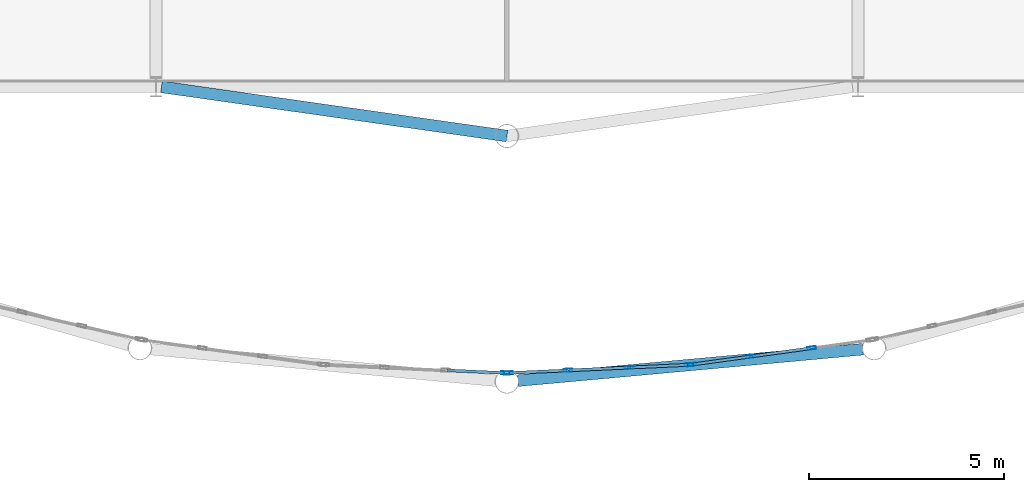
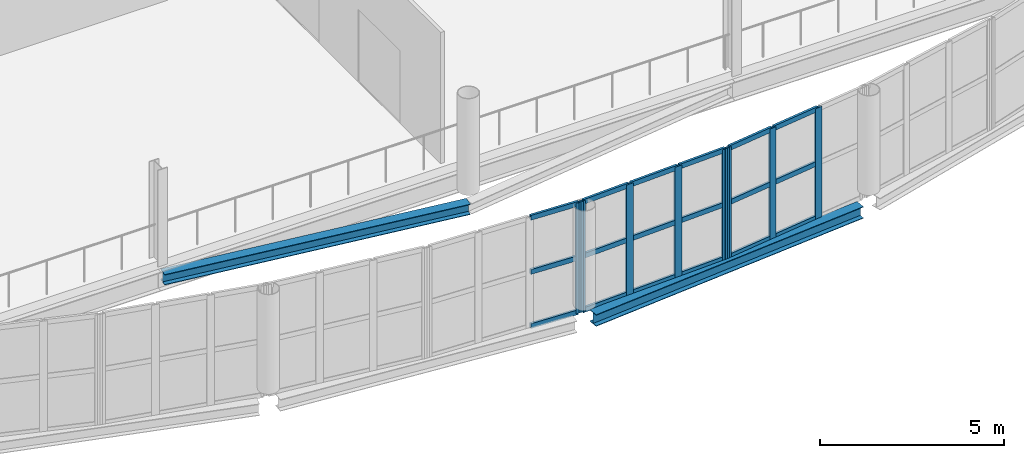
# One storey, part 30 of 134: 26 members, 2 beams, 3 elements without a shape of their own.
"""IFC4 building model written with IfcOpenShell, lengths in metres."""

from ifc_helpers import new_model, si_unit, direction, frame, origin, origin_2d, place, context, subcontext, project, spatial, hollow_rectangle, i_section, extrude, material, layer, layer_set, material_profile, profile_set, type_object, element, aggregate, save


model = new_model("IFC4")

# Units and contexts
model_context = context("Model", 3, precision=1e-05, world=origin(), true_north=direction((0.0, 1.0)))
body_context = subcontext(model_context, "Body", "Model", "MODEL_VIEW")
ifc_project = project(units=[si_unit("LENGTHUNIT", "METRE"), si_unit("AREAUNIT", "SQUARE_METRE"), si_unit("VOLUMEUNIT", "CUBIC_METRE"), si_unit("PLANEANGLEUNIT", "RADIAN"), si_unit("MASSUNIT", "GRAM", prefix="KILO")], contexts=[model_context])

# Site, building, storey
site_placement = place(None, origin())
site = spatial("IfcSite", under=ifc_project, at=site_placement, CompositionType="ELEMENT")
building_placement = place(site_placement, origin())
building = spatial("IfcBuilding", under=site, at=building_placement, Name="Tamarisk Ironworks Central Station", CompositionType="ELEMENT")
storey_placement = place(building_placement, frame((0.0, 0.0, 12.60009765625)))
storey = spatial("IfcBuildingStorey", under=building, at=storey_placement, Name="L02", CompositionType="ELEMENT", Elevation=12.60009765625)

# Beams
ifc_material_1 = material(Name="Structural steel S355J2", Category="steel")
ifc_material_profile_1 = material_profile(ifc_material_1, i_section(OverallWidth=0.300048828125, OverallDepth=0.389892578125, WebThickness=0.010986328125, FlangeThickness=0.01904296875, at=origin_2d()), Name="HEA 400")
ifc_profile_set_1 = profile_set([ifc_material_profile_1], Name="Structural steel S355J2")
beam_type_1 = type_object("IfcBeamType", Name="BM-G07", PredefinedType="BEAM", material=ifc_profile_set_1)
beam_1_placement = place(storey_placement, frame((81.28369140625, 3.266845703125, -0.5751953125), z_axis=(0.995863406654, 0.090862947823, 0.0), x_axis=(-0.090862947823, 0.995863406654, 0.0)))
element("IfcBeam", 1, at=beam_1_placement, inside=storey, type_object=beam_type_1, Name="SN rounded nose L02 chord girder 008", PredefinedType="BEAM", context=body_context, shape_type="SweptSolid", body=[
    extrude(i_section(OverallWidth=0.300048828125, OverallDepth=0.389892578125, WebThickness=0.010986328125, FlangeThickness=0.01904296875, at=origin_2d()), origin(), (0.0, 0.0, 1.0), 8.880126953125),
])
ifc_material_profile_2 = material_profile(ifc_material_1, i_section(OverallWidth=0.300048828125, OverallDepth=0.35009765625, WebThickness=0.010009765625, FlangeThickness=0.017578125, at=origin_2d()), Name="HEA 360")
ifc_profile_set_2 = profile_set([ifc_material_profile_2], Name="Structural steel S355J2")
beam_type_2 = type_object("IfcBeamType", Name="BM-G08", PredefinedType="BEAM", material=ifc_profile_set_2)
beam_2_placement = place(storey_placement, frame((72.139892578125, 10.800048828125, -0.580078125), z_axis=(0.990038775739, -0.140794966289, 0.0), x_axis=(0.140794966289, 0.990038775739, 0.0)))
element("IfcBeam", 2, at=beam_2_placement, inside=storey, type_object=beam_type_2, Name="SN arch crown tie beam 015", PredefinedType="BEAM", context=body_context, shape_type="SweptSolid", body=[
    extrude(i_section(OverallWidth=0.300048828125, OverallDepth=0.35009765625, WebThickness=0.010009765625, FlangeThickness=0.017578125, at=origin_2d()), origin(), (0.0, 0.0, 1.0), 8.94921875),
])

# Curtain wall, member
ifc_material_2 = material(Name="Anodized aluminium alloy 6063-T6", Category="aluminium")
ifc_layer = layer(ifc_material_2, 0.179931640625)
ifc_layer_set = layer_set([ifc_layer], Name="Anodized aluminium alloy 6063-T6")
curtain_wall_type = type_object("IfcCurtainWallType", Name="CW-03", PredefinedType="USERDEFINED", material=ifc_layer_set)
curtain_wall_1_placement = place(storey_placement, origin())
curtain_wall_1 = element("IfcCurtainWall", 3, at=curtain_wall_1_placement, inside=storey, type_object=curtain_wall_type, Name="SN rounded entrance hall L02 curtain wall bay 06", ObjectType="GLAZED CURTAIN WALL", PredefinedType="USERDEFINED")
ifc_material_profile_3 = material_profile(ifc_material_2, hollow_rectangle(XDim=0.074951171875, YDim=0.219970703125, WallThickness=0.00390625, at=origin_2d()), Name="ALUM 220x75")
ifc_profile_set_3 = profile_set([ifc_material_profile_3], Name="Anodized aluminium alloy 6063-T6")
member_type_1 = type_object("IfcMemberType", Name="CWM-01", PredefinedType="MULLION", material=ifc_profile_set_3)
member_1_placement = place(storey_placement, frame((80.962646484375, 3.462646484375, -0.385009765625), z_axis=(0.0, 0.0, 1.0), x_axis=(0.045480859558, 0.998965210312, 0.0)))
member_1 = element("IfcMember", 4, at=member_1_placement, type_object=member_type_1, Name="CW03 mullion 4", PredefinedType="MULLION", context=body_context, shape_type="SweptSolid", body=[
    extrude(hollow_rectangle(XDim=0.074951171875, YDim=0.219970703125, WallThickness=0.00390625, at=origin_2d()), origin(), (0.0, 0.0, 1.0), 3.664794921875),
])

# Curtain wall, members
curtain_wall_2_placement = place(storey_placement, origin())
curtain_wall_2 = element("IfcCurtainWall", 5, at=curtain_wall_2_placement, inside=storey, type_object=curtain_wall_type, Name="SN rounded entrance hall L02 curtain wall bay 07", ObjectType="GLAZED CURTAIN WALL", PredefinedType="USERDEFINED")
member_2_placement = place(storey_placement, frame((81.037353515625, 3.462646484375, -0.385009765625), z_axis=(0.0, 0.0, 1.0), x_axis=(-0.045480859558, 0.998965210312, 0.0)))
member_2 = element("IfcMember", 6, at=member_2_placement, type_object=member_type_1, Name="CW03 mullion 1", PredefinedType="MULLION", context=body_context, shape_type="SweptSolid", body=[
    extrude(hollow_rectangle(XDim=0.074951171875, YDim=0.219970703125, WallThickness=0.00390625, at=origin_2d()), origin(), (0.0, 0.0, 1.0), 3.664794921875),
])
member_3_placement = place(storey_placement, frame((82.568359375, 3.532470703125, -0.385009765625), z_axis=(0.0, 0.0, 1.0), x_axis=(-0.045480859558, 0.998965210312, 0.0)))
member_3 = element("IfcMember", 7, at=member_3_placement, type_object=member_type_1, Name="CW03 mullion 2", PredefinedType="MULLION", context=body_context, shape_type="SweptSolid", body=[
    extrude(hollow_rectangle(XDim=0.074951171875, YDim=0.219970703125, WallThickness=0.00390625, at=origin_2d()), origin(), (0.0, 0.0, 1.0), 3.664794921875),
])
member_4_placement = place(storey_placement, frame((84.136474609375, 3.603759765625, -0.385009765625), z_axis=(0.0, 0.0, 1.0), x_axis=(-0.045480859558, 0.998965210312, 0.0)))
member_4 = element("IfcMember", 8, at=member_4_placement, type_object=member_type_1, Name="CW03 mullion 3", PredefinedType="MULLION", context=body_context, shape_type="SweptSolid", body=[
    extrude(hollow_rectangle(XDim=0.074951171875, YDim=0.219970703125, WallThickness=0.00390625, at=origin_2d()), origin(), (0.0, 0.0, 1.0), 3.664794921875),
])
member_5_placement = place(storey_placement, frame((85.667236328125, 3.673583984375, -0.385009765625), z_axis=(0.0, 0.0, 1.0), x_axis=(-0.045480859558, 0.998965210312, 0.0)))
member_5 = element("IfcMember", 9, at=member_5_placement, type_object=member_type_1, Name="CW03 mullion 4", PredefinedType="MULLION", context=body_context, shape_type="SweptSolid", body=[
    extrude(hollow_rectangle(XDim=0.074951171875, YDim=0.219970703125, WallThickness=0.00390625, at=origin_2d()), origin(), (0.0, 0.0, 1.0), 3.664794921875),
])

curtain_wall_3_placement = place(storey_placement, origin())
curtain_wall_3 = element("IfcCurtainWall", 10, at=curtain_wall_3_placement, inside=storey, type_object=curtain_wall_type, Name="SN rounded entrance hall L02 curtain wall bay 08", ObjectType="GLAZED CURTAIN WALL", PredefinedType="USERDEFINED")
member_6_placement = place(storey_placement, frame((85.741943359375, 3.680419921875, -0.385009765625), z_axis=(0.0, 0.0, 1.0), x_axis=(-0.136041725218, 0.990703108403, 0.0)))
member_6 = element("IfcMember", 11, at=member_6_placement, type_object=member_type_1, Name="CW03 mullion 1", PredefinedType="MULLION", context=body_context, shape_type="SweptSolid", body=[
    extrude(hollow_rectangle(XDim=0.074951171875, YDim=0.219970703125, WallThickness=0.00390625, at=origin_2d()), origin(), (0.0, 0.0, 1.0), 3.664794921875),
])
member_7_placement = place(storey_placement, frame((87.260009765625, 3.888671875, -0.385009765625), z_axis=(0.0, 0.0, 1.0), x_axis=(-0.136041725218, 0.990703108403, 0.0)))
member_7 = element("IfcMember", 12, at=member_7_placement, type_object=member_type_1, Name="CW03 mullion 2", PredefinedType="MULLION", context=body_context, shape_type="SweptSolid", body=[
    extrude(hollow_rectangle(XDim=0.074951171875, YDim=0.219970703125, WallThickness=0.00390625, at=origin_2d()), origin(), (0.0, 0.0, 1.0), 3.664794921875),
])
member_8_placement = place(storey_placement, frame((88.8154296875, 4.102294921875, -0.385009765625), z_axis=(0.0, 0.0, 1.0), x_axis=(-0.136041725218, 0.990703108403, 0.0)))
member_8 = element("IfcMember", 13, at=member_8_placement, type_object=member_type_1, Name="CW03 mullion 3", PredefinedType="MULLION", context=body_context, shape_type="SweptSolid", body=[
    extrude(hollow_rectangle(XDim=0.074951171875, YDim=0.219970703125, WallThickness=0.00390625, at=origin_2d()), origin(), (0.0, 0.0, 1.0), 3.664794921875),
])

# Member
ifc_material_profile_4 = material_profile(ifc_material_2, hollow_rectangle(XDim=0.074951171875, YDim=0.159912109375, WallThickness=0.00390625, at=origin_2d()), Name="ALUM 160x75")
ifc_profile_set_4 = profile_set([ifc_material_profile_4], Name="Anodized aluminium alloy 6063-T6")
member_type_2 = type_object("IfcMemberType", Name="CWT-01", PredefinedType="USERDEFINED", material=ifc_profile_set_4)
member_9_placement = place(storey_placement, frame((79.465087890625, 3.53076171875, -0.34765625), z_axis=(0.998965102192, -0.045483234306, 0.0), x_axis=(0.045483234306, 0.998965102192, 0.0)))
member_9 = element("IfcMember", 14, at=member_9_placement, type_object=member_type_2, Name="CW03 transom 3.1", ObjectType="TRANSOM", PredefinedType="USERDEFINED", context=body_context, shape_type="SweptSolid", body=[
    extrude(hollow_rectangle(XDim=0.074951171875, YDim=0.159912109375, WallThickness=0.00390625, at=origin_2d()), origin(), (0.0, 0.0, 1.0), 1.46533203125),
])

member_10_placement = place(storey_placement, frame((79.465087890625, 3.53076171875, 1.447509765625), z_axis=(0.998965102192, -0.045483234306, 0.0), x_axis=(0.045483234306, 0.998965102192, 0.0)))
member_10 = element("IfcMember", 15, at=member_10_placement, type_object=member_type_2, Name="CW03 transom 3.2", ObjectType="TRANSOM", PredefinedType="USERDEFINED", context=body_context, shape_type="SweptSolid", body=[
    extrude(hollow_rectangle(XDim=0.074951171875, YDim=0.159912109375, WallThickness=0.00390625, at=origin_2d()), origin(), (0.0, 0.0, 1.0), 1.46533203125),
])

member_11_placement = place(storey_placement, frame((79.465087890625, 3.53076171875, 3.242431640625), z_axis=(0.998965102192, -0.045483234306, 0.0), x_axis=(0.045483234306, 0.998965102192, 0.0)))
member_11 = element("IfcMember", 16, at=member_11_placement, type_object=member_type_2, Name="CW03 transom 3.3", ObjectType="TRANSOM", PredefinedType="USERDEFINED", context=body_context, shape_type="SweptSolid", body=[
    extrude(hollow_rectangle(XDim=0.074951171875, YDim=0.159912109375, WallThickness=0.00390625, at=origin_2d()), origin(), (0.0, 0.0, 1.0), 1.46533203125),
])

aggregate(curtain_wall_1, [member_1, member_9, member_10, member_11])

member_12_placement = place(storey_placement, frame((81.071044921875, 3.464111328125, -0.34765625), z_axis=(0.998965102192, 0.045483234306, 0.0), x_axis=(-0.045483234306, 0.998965102192, 0.0)))
member_12 = element("IfcMember", 17, at=member_12_placement, type_object=member_type_2, Name="CW03 transom 1.1", ObjectType="TRANSOM", PredefinedType="USERDEFINED", context=body_context, shape_type="SweptSolid", body=[
    extrude(hollow_rectangle(XDim=0.074951171875, YDim=0.159912109375, WallThickness=0.00390625, at=origin_2d()), origin(), (0.0, 0.0, 1.0), 1.46533203125),
])

member_13_placement = place(storey_placement, frame((81.071044921875, 3.464111328125, 1.447509765625), z_axis=(0.998965102192, 0.045483234306, 0.0), x_axis=(-0.045483234306, 0.998965102192, 0.0)))
member_13 = element("IfcMember", 18, at=member_13_placement, type_object=member_type_2, Name="CW03 transom 1.2", ObjectType="TRANSOM", PredefinedType="USERDEFINED", context=body_context, shape_type="SweptSolid", body=[
    extrude(hollow_rectangle(XDim=0.074951171875, YDim=0.159912109375, WallThickness=0.00390625, at=origin_2d()), origin(), (0.0, 0.0, 1.0), 1.46533203125),
])

member_14_placement = place(storey_placement, frame((81.071044921875, 3.464111328125, 3.242431640625), z_axis=(0.998965102192, 0.045483234306, 0.0), x_axis=(-0.045483234306, 0.998965102192, 0.0)))
member_14 = element("IfcMember", 19, at=member_14_placement, type_object=member_type_2, Name="CW03 transom 1.3", ObjectType="TRANSOM", PredefinedType="USERDEFINED", context=body_context, shape_type="SweptSolid", body=[
    extrude(hollow_rectangle(XDim=0.074951171875, YDim=0.159912109375, WallThickness=0.00390625, at=origin_2d()), origin(), (0.0, 0.0, 1.0), 1.46533203125),
])

member_15_placement = place(storey_placement, frame((82.601806640625, 3.533935546875, -0.34765625), z_axis=(0.998964852268, 0.045488723148, 0.0), x_axis=(-0.045488723148, 0.998964852268, 0.0)))
member_15 = element("IfcMember", 20, at=member_15_placement, type_object=member_type_2, Name="CW03 transom 2.1", ObjectType="TRANSOM", PredefinedType="USERDEFINED", context=body_context, shape_type="SweptSolid", body=[
    extrude(hollow_rectangle(XDim=0.074951171875, YDim=0.159912109375, WallThickness=0.00390625, at=origin_2d()), origin(), (0.0, 0.0, 1.0), 1.502685546875),
])

member_16_placement = place(storey_placement, frame((82.601806640625, 3.533935546875, 1.447509765625), z_axis=(0.998964852268, 0.045488723148, 0.0), x_axis=(-0.045488723148, 0.998964852268, 0.0)))
member_16 = element("IfcMember", 21, at=member_16_placement, type_object=member_type_2, Name="CW03 transom 2.2", ObjectType="TRANSOM", PredefinedType="USERDEFINED", context=body_context, shape_type="SweptSolid", body=[
    extrude(hollow_rectangle(XDim=0.074951171875, YDim=0.159912109375, WallThickness=0.00390625, at=origin_2d()), origin(), (0.0, 0.0, 1.0), 1.502685546875),
])

member_17_placement = place(storey_placement, frame((82.601806640625, 3.533935546875, 3.242431640625), z_axis=(0.998964852268, 0.045488723148, 0.0), x_axis=(-0.045488723148, 0.998964852268, 0.0)))
member_17 = element("IfcMember", 22, at=member_17_placement, type_object=member_type_2, Name="CW03 transom 2.3", ObjectType="TRANSOM", PredefinedType="USERDEFINED", context=body_context, shape_type="SweptSolid", body=[
    extrude(hollow_rectangle(XDim=0.074951171875, YDim=0.159912109375, WallThickness=0.00390625, at=origin_2d()), origin(), (0.0, 0.0, 1.0), 1.502685546875),
])

member_18_placement = place(storey_placement, frame((84.169921875, 3.605224609375, -0.34765625), z_axis=(0.998965102192, 0.045483234306, 0.0), x_axis=(-0.045483234306, 0.998965102192, 0.0)))
member_18 = element("IfcMember", 23, at=member_18_placement, type_object=member_type_2, Name="CW03 transom 3.1", ObjectType="TRANSOM", PredefinedType="USERDEFINED", context=body_context, shape_type="SweptSolid", body=[
    extrude(hollow_rectangle(XDim=0.074951171875, YDim=0.159912109375, WallThickness=0.00390625, at=origin_2d()), origin(), (0.0, 0.0, 1.0), 1.46533203125),
])

member_19_placement = place(storey_placement, frame((84.169921875, 3.605224609375, 1.447509765625), z_axis=(0.998965102192, 0.045483234306, 0.0), x_axis=(-0.045483234306, 0.998965102192, 0.0)))
member_19 = element("IfcMember", 24, at=member_19_placement, type_object=member_type_2, Name="CW03 transom 3.2", ObjectType="TRANSOM", PredefinedType="USERDEFINED", context=body_context, shape_type="SweptSolid", body=[
    extrude(hollow_rectangle(XDim=0.074951171875, YDim=0.159912109375, WallThickness=0.00390625, at=origin_2d()), origin(), (0.0, 0.0, 1.0), 1.46533203125),
])

member_20_placement = place(storey_placement, frame((84.169921875, 3.605224609375, 3.242431640625), z_axis=(0.998965102192, 0.045483234306, 0.0), x_axis=(-0.045483234306, 0.998965102192, 0.0)))
member_20 = element("IfcMember", 25, at=member_20_placement, type_object=member_type_2, Name="CW03 transom 3.3", ObjectType="TRANSOM", PredefinedType="USERDEFINED", context=body_context, shape_type="SweptSolid", body=[
    extrude(hollow_rectangle(XDim=0.074951171875, YDim=0.159912109375, WallThickness=0.00390625, at=origin_2d()), origin(), (0.0, 0.0, 1.0), 1.46533203125),
])

aggregate(curtain_wall_2, [member_2, member_3, member_4, member_5, member_12, member_13, member_14, member_15, member_16, member_17, member_18, member_19, member_20])

member_21_placement = place(storey_placement, frame((85.775146484375, 3.684814453125, -0.34765625), z_axis=(0.990691763938, 0.136124314016, 0.0), x_axis=(-0.136124314016, 0.990691763938, 0.0)))
member_21 = element("IfcMember", 26, at=member_21_placement, type_object=member_type_2, Name="CW03 transom 1.1", ObjectType="TRANSOM", PredefinedType="USERDEFINED", context=body_context, shape_type="SweptSolid", body=[
    extrude(hollow_rectangle(XDim=0.074951171875, YDim=0.159912109375, WallThickness=0.00390625, at=origin_2d()), origin(), (0.0, 0.0, 1.0), 1.46533203125),
])

member_22_placement = place(storey_placement, frame((85.775146484375, 3.684814453125, 1.447509765625), z_axis=(0.990691763938, 0.136124314016, 0.0), x_axis=(-0.136124314016, 0.990691763938, 0.0)))
member_22 = element("IfcMember", 27, at=member_22_placement, type_object=member_type_2, Name="CW03 transom 1.2", ObjectType="TRANSOM", PredefinedType="USERDEFINED", context=body_context, shape_type="SweptSolid", body=[
    extrude(hollow_rectangle(XDim=0.074951171875, YDim=0.159912109375, WallThickness=0.00390625, at=origin_2d()), origin(), (0.0, 0.0, 1.0), 1.46533203125),
])

member_23_placement = place(storey_placement, frame((85.775146484375, 3.684814453125, 3.242431640625), z_axis=(0.990691763938, 0.136124314016, 0.0), x_axis=(-0.136124314016, 0.990691763938, 0.0)))
member_23 = element("IfcMember", 28, at=member_23_placement, type_object=member_type_2, Name="CW03 transom 1.3", ObjectType="TRANSOM", PredefinedType="USERDEFINED", context=body_context, shape_type="SweptSolid", body=[
    extrude(hollow_rectangle(XDim=0.074951171875, YDim=0.159912109375, WallThickness=0.00390625, at=origin_2d()), origin(), (0.0, 0.0, 1.0), 1.46533203125),
])

member_24_placement = place(storey_placement, frame((87.293212890625, 3.893310546875, -0.34765625), z_axis=(0.990714153928, 0.135961263623, 0.0), x_axis=(-0.135961263623, 0.990714153928, 0.0)))
member_24 = element("IfcMember", 29, at=member_24_placement, type_object=member_type_2, Name="CW03 transom 2.1", ObjectType="TRANSOM", PredefinedType="USERDEFINED", context=body_context, shape_type="SweptSolid", body=[
    extrude(hollow_rectangle(XDim=0.074951171875, YDim=0.159912109375, WallThickness=0.00390625, at=origin_2d()), origin(), (0.0, 0.0, 1.0), 1.5029296875),
])

member_25_placement = place(storey_placement, frame((87.293212890625, 3.893310546875, 1.447509765625), z_axis=(0.990714153928, 0.135961263623, 0.0), x_axis=(-0.135961263623, 0.990714153928, 0.0)))
member_25 = element("IfcMember", 30, at=member_25_placement, type_object=member_type_2, Name="CW03 transom 2.2", ObjectType="TRANSOM", PredefinedType="USERDEFINED", context=body_context, shape_type="SweptSolid", body=[
    extrude(hollow_rectangle(XDim=0.074951171875, YDim=0.159912109375, WallThickness=0.00390625, at=origin_2d()), origin(), (0.0, 0.0, 1.0), 1.5029296875),
])

member_26_placement = place(storey_placement, frame((87.293212890625, 3.893310546875, 3.242431640625), z_axis=(0.990714153928, 0.135961263623, 0.0), x_axis=(-0.135961263623, 0.990714153928, 0.0)))
member_26 = element("IfcMember", 31, at=member_26_placement, type_object=member_type_2, Name="CW03 transom 2.3", ObjectType="TRANSOM", PredefinedType="USERDEFINED", context=body_context, shape_type="SweptSolid", body=[
    extrude(hollow_rectangle(XDim=0.074951171875, YDim=0.159912109375, WallThickness=0.00390625, at=origin_2d()), origin(), (0.0, 0.0, 1.0), 1.5029296875),
])

aggregate(curtain_wall_3, [member_6, member_7, member_8, member_21, member_22, member_23, member_24, member_25, member_26])

save(model, "model.ifc")
